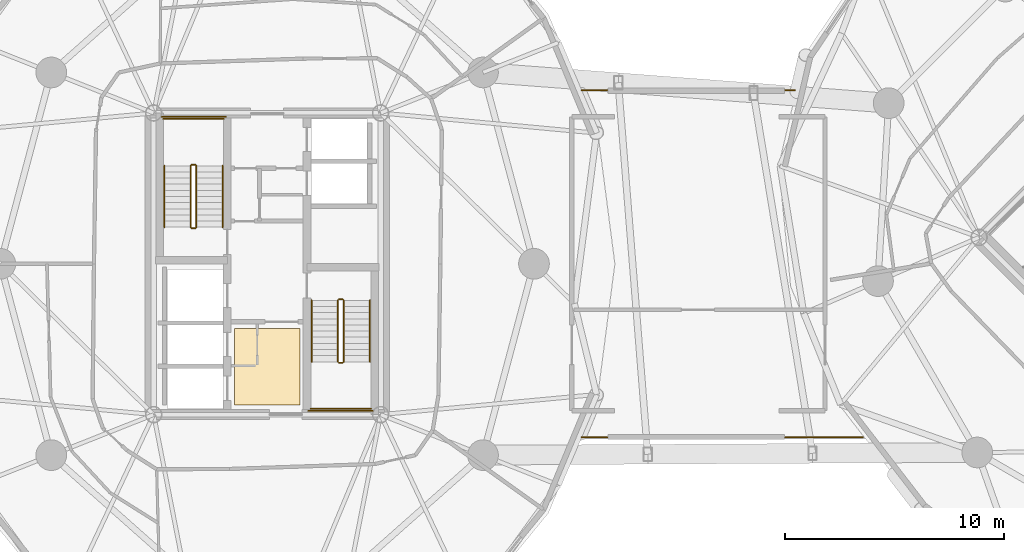
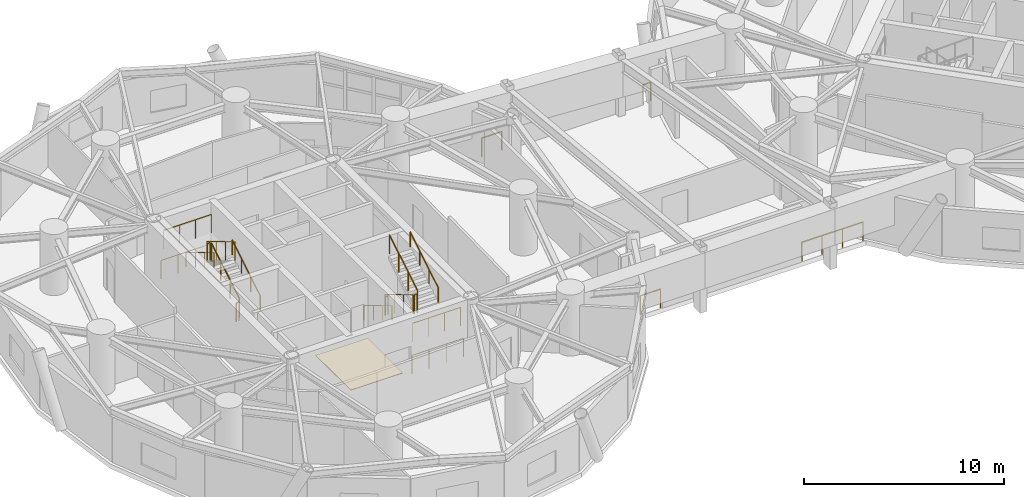
# One storey, part 16 of 17: 20 railings, 1 covering.
"""IFC4 building model written with IfcOpenShell, lengths in metres."""

from ifc_helpers import new_model, si_unit, direction, frame, origin, origin_2d, place, context, subcontext, project, spatial, polyline, circle, outline, extrude, material, layer, layer_set, type_object, element, save


model = new_model("IFC4")

# Units and contexts
model_context = context("Model", 3, precision=1e-05, world=origin(), true_north=direction((0.0, 1.0)))
body_context = subcontext(model_context, "Body", "Model", "MODEL_VIEW")
ifc_project = project(units=[si_unit("LENGTHUNIT", "METRE"), si_unit("AREAUNIT", "SQUARE_METRE"), si_unit("VOLUMEUNIT", "CUBIC_METRE"), si_unit("PLANEANGLEUNIT", "RADIAN"), si_unit("MASSUNIT", "GRAM", prefix="KILO")], contexts=[model_context])

# Site, building, storey
site_placement = place(None, origin())
site = spatial("IfcSite", under=ifc_project, at=site_placement, CompositionType="ELEMENT")
building_placement = place(site_placement, origin())
building = spatial("IfcBuilding", under=site, at=building_placement, Name="Cununo Teusaquillo Station Towers", CompositionType="ELEMENT")
storey_placement = place(building_placement, frame((0.0, 0.0, 125.43994140625)))
storey = spatial("IfcBuildingStorey", under=building, at=storey_placement, Name="L40", CompositionType="ELEMENT", Elevation=125.43994140625)

# Covering
ifc_material_1 = material(Name="Polished basalt-chip terrazzo floor finish", Category="masonry")
ifc_layer = layer(ifc_material_1, 0.034912109375)
ifc_layer_set = layer_set([ifc_layer], Name="Polished basalt-chip terrazzo floor finish")
covering_type = type_object("IfcCoveringType", Name="COV-FLR-TERR", PredefinedType="FLOORING", material=ifc_layer_set)
covering_placement = place(storey_placement, origin())
element("IfcCovering", 1, at=covering_placement, inside=storey, type_object=covering_type, Name="L40 Polished Terrazzo Floor Finish", PredefinedType="FLOORING", context=body_context, shape_type="SweptSolid", body=[
    extrude(outline(polyline([(15.0, 18.050048828125), (18.0, 18.050048828125), (18.0, 21.550048828125), (15.0, 21.550048828125), (15.0, 18.050048828125)])), origin(), (0.0, 0.0, 1.0), 0.03515625),
])

# Railings
ifc_material_2 = material(Name="Steel EN 10025-2 S355J2", Category="steel")
railing_type_1 = type_object("IfcRailingType", Name="RL-INT-GUARD", PredefinedType="GUARDRAIL", material=ifc_material_2)
railing_1_placement = place(storey_placement, frame((13.27001953125, 26.169921875, 0.169189453125)))
element("IfcRailing", 2, at=railing_1_placement, inside=storey, type_object=railing_type_1, Name="L40 ST-T1-1 stair guard 1", PredefinedType="GUARDRAIL", context=body_context, shape_type="SweptSolid", body=[
    extrude(circle(Radius=0.02392578125, at=origin_2d()), frame((0.0, 0.0, 1.1259765625), z_axis=(0.0, 0.856020824003, 0.516941339877), x_axis=(-1.0, 0.0, 0.0)), (0.0, 0.0, 1.0), 3.27099609375),
    extrude(circle(Radius=0.02099609375, at=origin_2d()), origin(), (0.0, 0.0, 1.0), 1.101806640625),
    extrude(circle(Radius=0.02099609375, at=origin_2d()), frame((0.0, 0.933349609375, 0.563720703125)), (0.0, 0.0, 1.0), 1.101806640625),
    extrude(circle(Radius=0.02099609375, at=origin_2d()), frame((0.0, 1.86669921875, 1.127197265625)), (0.0, 0.0, 1.0), 1.101806640625),
    extrude(circle(Radius=0.02099609375, at=origin_2d()), frame((0.0, 2.800048828125, 1.69091796875)), (0.0, 0.0, 1.0), 1.101806640625),
])
railing_2_placement = place(storey_placement, frame((13.219970703125, 29.02001953125, 1.860107421875)))
element("IfcRailing", 3, at=railing_2_placement, inside=storey, type_object=railing_type_1, Name="L40 ST-T1-1 stair guard 2", PredefinedType="GUARDRAIL", context=body_context, shape_type="SweptSolid", body=[
    extrude(circle(Radius=0.02392578125, at=origin_2d()), frame((0.0, 0.0, 1.1259765625), z_axis=(-1.0, 0.0, 0.0), x_axis=(0.0, -1.0, 0.0)), (0.0, 0.0, 1.0), 0.159912109375),
    extrude(circle(Radius=0.02099609375, at=origin_2d()), origin(), (0.0, 0.0, 1.0), 1.101806640625),
    extrude(circle(Radius=0.02099609375, at=origin_2d()), frame((-0.159912109375, 0.0, 0.0)), (0.0, 0.0, 1.0), 1.101806640625),
])
railing_3_placement = place(storey_placement, frame((14.52001953125, 31.110107421875, 1.860107421875)))
element("IfcRailing", 4, at=railing_3_placement, inside=storey, type_object=railing_type_1, Name="L40 ST-T1-1 stair guard 3", PredefinedType="GUARDRAIL", context=body_context, shape_type="SweptSolid", body=[
    extrude(circle(Radius=0.02392578125, at=origin_2d()), frame((0.0, 0.0, 1.1259765625), z_axis=(-1.0, 0.0, 0.0), x_axis=(0.0, -1.0, 0.0)), (0.0, 0.0, 1.0), 2.760009765625),
    extrude(circle(Radius=0.02099609375, at=origin_2d()), origin(), (0.0, 0.0, 1.0), 1.101806640625),
    extrude(circle(Radius=0.02099609375, at=origin_2d()), frame((-0.919921875, 0.0, 0.0)), (0.0, 0.0, 1.0), 1.101806640625),
    extrude(circle(Radius=0.02099609375, at=origin_2d()), frame((-1.840087890625, 0.0, 0.0)), (0.0, 0.0, 1.0), 1.101806640625),
    extrude(circle(Radius=0.02099609375, at=origin_2d()), frame((-2.760009765625, 0.0, 0.0)), (0.0, 0.0, 1.0), 1.101806640625),
])
railing_4_placement = place(storey_placement, frame((13.010009765625, 28.969970703125, 2.029052734375)))
element("IfcRailing", 5, at=railing_4_placement, inside=storey, type_object=railing_type_1, Name="L40 ST-T1-1 stair guard 4", PredefinedType="GUARDRAIL", context=body_context, shape_type="SweptSolid", body=[
    extrude(circle(Radius=0.02392578125, at=origin_2d()), frame((0.0, 0.0, 1.1259765625), z_axis=(0.0, -0.856020824003, 0.516941339877), x_axis=(1.0, 0.0, 0.0)), (0.0, 0.0, 1.0), 3.27099609375),
    extrude(circle(Radius=0.02099609375, at=origin_2d()), origin(), (0.0, 0.0, 1.0), 1.101806640625),
    extrude(circle(Radius=0.02099609375, at=origin_2d()), frame((0.0, -0.933349609375, 0.563720703125)), (0.0, 0.0, 1.0), 1.101806640625),
    extrude(circle(Radius=0.02099609375, at=origin_2d()), frame((0.0, -1.86669921875, 1.127197265625)), (0.0, 0.0, 1.0), 1.101806640625),
    extrude(circle(Radius=0.02099609375, at=origin_2d()), frame((0.0, -2.800048828125, 1.69091796875)), (0.0, 0.0, 1.0), 1.101806640625),
])
railing_5_placement = place(storey_placement, frame((13.219970703125, 26.1201171875, 0.0)))
element("IfcRailing", 6, at=railing_5_placement, inside=storey, type_object=railing_type_1, Name="L40 ST-T1-1 stair guard 5", PredefinedType="GUARDRAIL", context=body_context, shape_type="SweptSolid", body=[
    extrude(circle(Radius=0.02392578125, at=origin_2d()), frame((0.0, 0.0, 1.1259765625), z_axis=(-1.0, 0.0, 0.0), x_axis=(0.0, -1.0, 0.0)), (0.0, 0.0, 1.0), 0.159912109375),
    extrude(circle(Radius=0.02099609375, at=origin_2d()), origin(), (0.0, 0.0, 1.0), 1.101806640625),
    extrude(circle(Radius=0.02099609375, at=origin_2d()), frame((-0.159912109375, 0.0, 0.0)), (0.0, 0.0, 1.0), 1.101806640625),
])
railing_6_placement = place(storey_placement, frame((14.6201171875, 31.2099609375, 0.0)))
element("IfcRailing", 7, at=railing_6_placement, inside=storey, type_object=railing_type_1, Name="L40 ST-T1-1 stair guard 6", PredefinedType="GUARDRAIL", context=body_context, shape_type="SweptSolid", body=[
    extrude(circle(Radius=0.02392578125, at=origin_2d()), frame((0.0, 0.0, 1.1259765625), z_axis=(-1.0, 0.0, 0.0), x_axis=(0.0, -1.0, 0.0)), (0.0, 0.0, 1.0), 2.960205078125),
    extrude(circle(Radius=0.02099609375, at=origin_2d()), origin(), (0.0, 0.0, 1.0), 1.101806640625),
    extrude(circle(Radius=0.02099609375, at=origin_2d()), frame((-0.98681640625, 0.0, 0.0)), (0.0, 0.0, 1.0), 1.101806640625),
    extrude(circle(Radius=0.02099609375, at=origin_2d()), frame((-1.973388671875, 0.0, 0.0)), (0.0, 0.0, 1.0), 1.101806640625),
    extrude(circle(Radius=0.02099609375, at=origin_2d()), frame((-2.960205078125, 0.0, 0.0)), (0.0, 0.0, 1.0), 1.101806640625),
])
railing_7_placement = place(storey_placement, frame((19.72998046875, 22.830078125, 0.169189453125)))
element("IfcRailing", 8, at=railing_7_placement, inside=storey, type_object=railing_type_1, Name="L40 ST-T1-2 stair guard 1", PredefinedType="GUARDRAIL", context=body_context, shape_type="SweptSolid", body=[
    extrude(circle(Radius=0.02392578125, at=origin_2d()), frame((0.0, 0.0, 1.1259765625), z_axis=(0.0, -0.856020824003, 0.516941339877), x_axis=(1.0, 0.0, 0.0)), (0.0, 0.0, 1.0), 3.27099609375),
    extrude(circle(Radius=0.02099609375, at=origin_2d()), origin(), (0.0, 0.0, 1.0), 1.101806640625),
    extrude(circle(Radius=0.02099609375, at=origin_2d()), frame((0.0, -0.933349609375, 0.563720703125)), (0.0, 0.0, 1.0), 1.101806640625),
    extrude(circle(Radius=0.02099609375, at=origin_2d()), frame((0.0, -1.86669921875, 1.127197265625)), (0.0, 0.0, 1.0), 1.101806640625),
    extrude(circle(Radius=0.02099609375, at=origin_2d()), frame((0.0, -2.800048828125, 1.69091796875)), (0.0, 0.0, 1.0), 1.101806640625),
])
railing_8_placement = place(storey_placement, frame((19.780029296875, 19.97998046875, 1.860107421875)))
element("IfcRailing", 9, at=railing_8_placement, inside=storey, type_object=railing_type_1, Name="L40 ST-T1-2 stair guard 2", PredefinedType="GUARDRAIL", context=body_context, shape_type="SweptSolid", body=[
    extrude(circle(Radius=0.02392578125, at=origin_2d()), frame((0.0, 0.0, 1.1259765625), z_axis=(1.0, 0.0, 0.0), x_axis=(0.0, 1.0, 0.0)), (0.0, 0.0, 1.0), 0.159912109375),
    extrude(circle(Radius=0.02099609375, at=origin_2d()), origin(), (0.0, 0.0, 1.0), 1.101806640625),
    extrude(circle(Radius=0.02099609375, at=origin_2d()), frame((0.159912109375, 0.0, 0.0)), (0.0, 0.0, 1.0), 1.101806640625),
])
railing_9_placement = place(storey_placement, frame((18.47998046875, 17.889892578125, 1.860107421875)))
element("IfcRailing", 10, at=railing_9_placement, inside=storey, type_object=railing_type_1, Name="L40 ST-T1-2 stair guard 3", PredefinedType="GUARDRAIL", context=body_context, shape_type="SweptSolid", body=[
    extrude(circle(Radius=0.02392578125, at=origin_2d()), frame((0.0, 0.0, 1.1259765625), z_axis=(1.0, 0.0, 0.0), x_axis=(0.0, 1.0, 0.0)), (0.0, 0.0, 1.0), 2.760009765625),
    extrude(circle(Radius=0.02099609375, at=origin_2d()), origin(), (0.0, 0.0, 1.0), 1.101806640625),
    extrude(circle(Radius=0.02099609375, at=origin_2d()), frame((0.919921875, 0.0, 0.0)), (0.0, 0.0, 1.0), 1.101806640625),
    extrude(circle(Radius=0.02099609375, at=origin_2d()), frame((1.840087890625, 0.0, 0.0)), (0.0, 0.0, 1.0), 1.101806640625),
    extrude(circle(Radius=0.02099609375, at=origin_2d()), frame((2.760009765625, 0.0, 0.0)), (0.0, 0.0, 1.0), 1.101806640625),
])
railing_10_placement = place(storey_placement, frame((19.989990234375, 20.030029296875, 2.029052734375)))
element("IfcRailing", 11, at=railing_10_placement, inside=storey, type_object=railing_type_1, Name="L40 ST-T1-2 stair guard 4", PredefinedType="GUARDRAIL", context=body_context, shape_type="SweptSolid", body=[
    extrude(circle(Radius=0.02392578125, at=origin_2d()), frame((0.0, 0.0, 1.1259765625), z_axis=(0.0, 0.856020824003, 0.516941339877), x_axis=(-1.0, 0.0, 0.0)), (0.0, 0.0, 1.0), 3.27099609375),
    extrude(circle(Radius=0.02099609375, at=origin_2d()), origin(), (0.0, 0.0, 1.0), 1.101806640625),
    extrude(circle(Radius=0.02099609375, at=origin_2d()), frame((0.0, 0.933349609375, 0.563720703125)), (0.0, 0.0, 1.0), 1.101806640625),
    extrude(circle(Radius=0.02099609375, at=origin_2d()), frame((0.0, 1.86669921875, 1.127197265625)), (0.0, 0.0, 1.0), 1.101806640625),
    extrude(circle(Radius=0.02099609375, at=origin_2d()), frame((0.0, 2.800048828125, 1.69091796875)), (0.0, 0.0, 1.0), 1.101806640625),
])
railing_11_placement = place(storey_placement, frame((19.780029296875, 22.8798828125, 0.0)))
element("IfcRailing", 12, at=railing_11_placement, inside=storey, type_object=railing_type_1, Name="L40 ST-T1-2 stair guard 5", PredefinedType="GUARDRAIL", context=body_context, shape_type="SweptSolid", body=[
    extrude(circle(Radius=0.02392578125, at=origin_2d()), frame((0.0, 0.0, 1.1259765625), z_axis=(1.0, 0.0, 0.0), x_axis=(0.0, 1.0, 0.0)), (0.0, 0.0, 1.0), 0.159912109375),
    extrude(circle(Radius=0.02099609375, at=origin_2d()), origin(), (0.0, 0.0, 1.0), 1.101806640625),
    extrude(circle(Radius=0.02099609375, at=origin_2d()), frame((0.159912109375, 0.0, 0.0)), (0.0, 0.0, 1.0), 1.101806640625),
])
railing_12_placement = place(storey_placement, frame((18.3798828125, 17.7900390625, 0.0)))
element("IfcRailing", 13, at=railing_12_placement, inside=storey, type_object=railing_type_1, Name="L40 ST-T1-2 stair guard 6", PredefinedType="GUARDRAIL", context=body_context, shape_type="SweptSolid", body=[
    extrude(circle(Radius=0.02392578125, at=origin_2d()), frame((0.0, 0.0, 1.1259765625), z_axis=(1.0, 0.0, 0.0), x_axis=(0.0, 1.0, 0.0)), (0.0, 0.0, 1.0), 2.960205078125),
    extrude(circle(Radius=0.02099609375, at=origin_2d()), origin(), (0.0, 0.0, 1.0), 1.101806640625),
    extrude(circle(Radius=0.02099609375, at=origin_2d()), frame((0.98681640625, 0.0, 0.0)), (0.0, 0.0, 1.0), 1.101806640625),
    extrude(circle(Radius=0.02099609375, at=origin_2d()), frame((1.973388671875, 0.0, 0.0)), (0.0, 0.0, 1.0), 1.101806640625),
    extrude(circle(Radius=0.02099609375, at=origin_2d()), frame((2.960205078125, 0.0, 0.0)), (0.0, 0.0, 1.0), 1.101806640625),
])
railing_13_placement = place(storey_placement, frame((30.840087890625, 32.419921875, 0.0)))
element("IfcRailing", 14, at=railing_13_placement, inside=storey, type_object=railing_type_1, Name="L40 Mid-Bridge Deck Edge Guardrail NW", PredefinedType="GUARDRAIL", context=body_context, shape_type="SweptSolid", body=[
    extrude(circle(Radius=0.02392578125, at=origin_2d()), frame((0.0, 0.0, 1.1259765625), z_axis=(1.0, 0.0, 0.0), x_axis=(0.0, 1.0, 0.0)), (0.0, 0.0, 1.0), 1.169921875),
    extrude(circle(Radius=0.02099609375, at=origin_2d()), origin(), (0.0, 0.0, 1.0), 1.101806640625),
    extrude(circle(Radius=0.02099609375, at=origin_2d()), frame((1.169921875, 0.0, 0.0)), (0.0, 0.0, 1.0), 1.101806640625),
])
railing_14_placement = place(storey_placement, frame((40.139892578125, 32.419921875, 0.0)))
element("IfcRailing", 15, at=railing_14_placement, inside=storey, type_object=railing_type_1, Name="L40 Mid-Bridge Deck Edge Guardrail NE", PredefinedType="GUARDRAIL", context=body_context, shape_type="SweptSolid", body=[
    extrude(circle(Radius=0.02392578125, at=origin_2d()), frame((0.0, 0.0, 1.1259765625), z_axis=(1.0, 0.0, 0.0), x_axis=(0.0, 1.0, 0.0)), (0.0, 0.0, 1.0), 0.440185546875),
    extrude(circle(Radius=0.02099609375, at=origin_2d()), origin(), (0.0, 0.0, 1.0), 1.101806640625),
    extrude(circle(Radius=0.02099609375, at=origin_2d()), frame((0.440185546875, 0.0, 0.0)), (0.0, 0.0, 1.0), 1.101806640625),
])
railing_15_placement = place(storey_placement, frame((30.840087890625, 16.580078125, 0.0)))
element("IfcRailing", 16, at=railing_15_placement, inside=storey, type_object=railing_type_1, Name="L40 Mid-Bridge Deck Edge Guardrail SW", PredefinedType="GUARDRAIL", context=body_context, shape_type="SweptSolid", body=[
    extrude(circle(Radius=0.02392578125, at=origin_2d()), frame((0.0, 0.0, 1.1259765625), z_axis=(1.0, 0.0, 0.0), x_axis=(0.0, 1.0, 0.0)), (0.0, 0.0, 1.0), 1.169921875),
    extrude(circle(Radius=0.02099609375, at=origin_2d()), origin(), (0.0, 0.0, 1.0), 1.101806640625),
    extrude(circle(Radius=0.02099609375, at=origin_2d()), frame((1.169921875, 0.0, 0.0)), (0.0, 0.0, 1.0), 1.101806640625),
])
railing_16_placement = place(storey_placement, frame((40.139892578125, 16.580078125, 0.0)))
element("IfcRailing", 17, at=railing_16_placement, inside=storey, type_object=railing_type_1, Name="L40 Mid-Bridge Deck Edge Guardrail SE", PredefinedType="GUARDRAIL", context=body_context, shape_type="SweptSolid", body=[
    extrude(circle(Radius=0.02392578125, at=origin_2d()), frame((0.0, 0.0, 1.1259765625), z_axis=(1.0, 0.0, 0.0), x_axis=(0.0, 1.0, 0.0)), (0.0, 0.0, 1.0), 3.5400390625),
    extrude(circle(Radius=0.02099609375, at=origin_2d()), origin(), (0.0, 0.0, 1.0), 1.101806640625),
    extrude(circle(Radius=0.02099609375, at=origin_2d()), frame((1.179931640625, 0.0, 0.0)), (0.0, 0.0, 1.0), 1.101806640625),
    extrude(circle(Radius=0.02099609375, at=origin_2d()), frame((2.360107421875, 0.0, 0.0)), (0.0, 0.0, 1.0), 1.101806640625),
    extrude(circle(Radius=0.02099609375, at=origin_2d()), frame((3.5400390625, 0.0, 0.0)), (0.0, 0.0, 1.0), 1.101806640625),
])
ifc_material_3 = material(Name="Steel EN 10025-2 S355J2", Category="steel")
railing_type_2 = type_object("IfcRailingType", Name="RL-INT-HRAIL", PredefinedType="HANDRAIL", material=ifc_material_3)
railing_17_placement = place(storey_placement, frame((14.469970703125, 26.169921875, 0.169189453125)))
element("IfcRailing", 18, at=railing_17_placement, inside=storey, type_object=railing_type_2, Name="L40 ST-T1-1 stair handrail 1", PredefinedType="HANDRAIL", context=body_context, shape_type="SweptSolid", body=[
    extrude(circle(Radius=0.02392578125, at=origin_2d()), frame((0.0, 0.0, 0.8759765625), z_axis=(0.0, 0.856020824003, 0.516941339877), x_axis=(-1.0, 0.0, 0.0)), (0.0, 0.0, 1.0), 3.27099609375),
    extrude(circle(Radius=0.02099609375, at=origin_2d()), origin(), (0.0, 0.0, 1.0), 0.851806640625),
    extrude(circle(Radius=0.02099609375, at=origin_2d()), frame((0.0, 0.933349609375, 0.563720703125)), (0.0, 0.0, 1.0), 0.851806640625),
    extrude(circle(Radius=0.02099609375, at=origin_2d()), frame((0.0, 1.86669921875, 1.127197265625)), (0.0, 0.0, 1.0), 0.851806640625),
    extrude(circle(Radius=0.02099609375, at=origin_2d()), frame((0.0, 2.800048828125, 1.69091796875)), (0.0, 0.0, 1.0), 0.851806640625),
])
for number, where, name in (
    (19, (11.81005859375, 28.969970703125, 2.029052734375), "L40 ST-T1-1 stair handrail 2"),
    (20, (18.530029296875, 22.830078125, 0.169189453125), "L40 ST-T1-2 stair handrail 1"),
):
    element("IfcRailing", number, at=place(storey_placement, frame(where)), inside=storey, type_object=railing_type_2, Name=name, PredefinedType="HANDRAIL", context=body_context, shape_type="SweptSolid", body=[
        extrude(circle(Radius=0.02392578125, at=origin_2d()), frame((0.0, 0.0, 0.8759765625), z_axis=(0.0, -0.856020824003, 0.516941339877), x_axis=(1.0, 0.0, 0.0)), (0.0, 0.0, 1.0), 3.27099609375),
        extrude(circle(Radius=0.02099609375, at=origin_2d()), origin(), (0.0, 0.0, 1.0), 0.851806640625),
        extrude(circle(Radius=0.02099609375, at=origin_2d()), frame((0.0, -0.933349609375, 0.563720703125)), (0.0, 0.0, 1.0), 0.851806640625),
        extrude(circle(Radius=0.02099609375, at=origin_2d()), frame((0.0, -1.86669921875, 1.127197265625)), (0.0, 0.0, 1.0), 0.851806640625),
        extrude(circle(Radius=0.02099609375, at=origin_2d()), frame((0.0, -2.800048828125, 1.69091796875)), (0.0, 0.0, 1.0), 0.851806640625),
    ])
railing_18_placement = place(storey_placement, frame((21.18994140625, 20.030029296875, 2.029052734375)))
element("IfcRailing", 21, at=railing_18_placement, inside=storey, type_object=railing_type_2, Name="L40 ST-T1-2 stair handrail 2", PredefinedType="HANDRAIL", context=body_context, shape_type="SweptSolid", body=[
    extrude(circle(Radius=0.02392578125, at=origin_2d()), frame((0.0, 0.0, 0.8759765625), z_axis=(0.0, 0.856020824003, 0.516941339877), x_axis=(-1.0, 0.0, 0.0)), (0.0, 0.0, 1.0), 3.27099609375),
    extrude(circle(Radius=0.02099609375, at=origin_2d()), origin(), (0.0, 0.0, 1.0), 0.851806640625),
    extrude(circle(Radius=0.02099609375, at=origin_2d()), frame((0.0, 0.933349609375, 0.563720703125)), (0.0, 0.0, 1.0), 0.851806640625),
    extrude(circle(Radius=0.02099609375, at=origin_2d()), frame((0.0, 1.86669921875, 1.127197265625)), (0.0, 0.0, 1.0), 0.851806640625),
    extrude(circle(Radius=0.02099609375, at=origin_2d()), frame((0.0, 2.800048828125, 1.69091796875)), (0.0, 0.0, 1.0), 0.851806640625),
])

save(model, "model.ifc")
